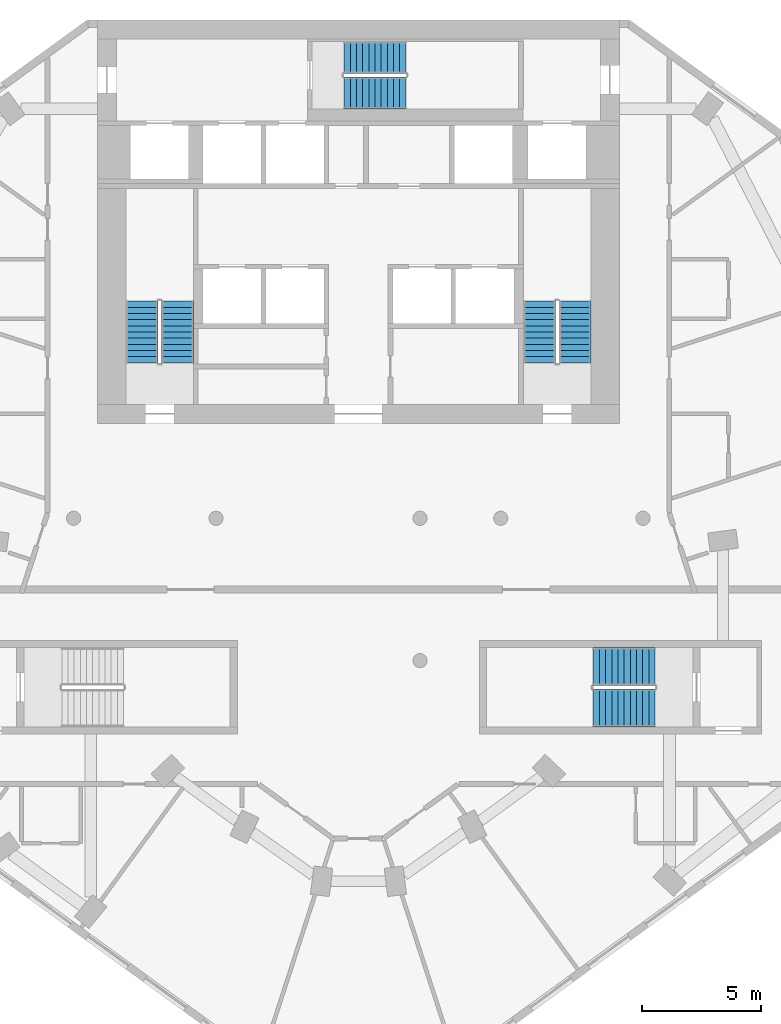
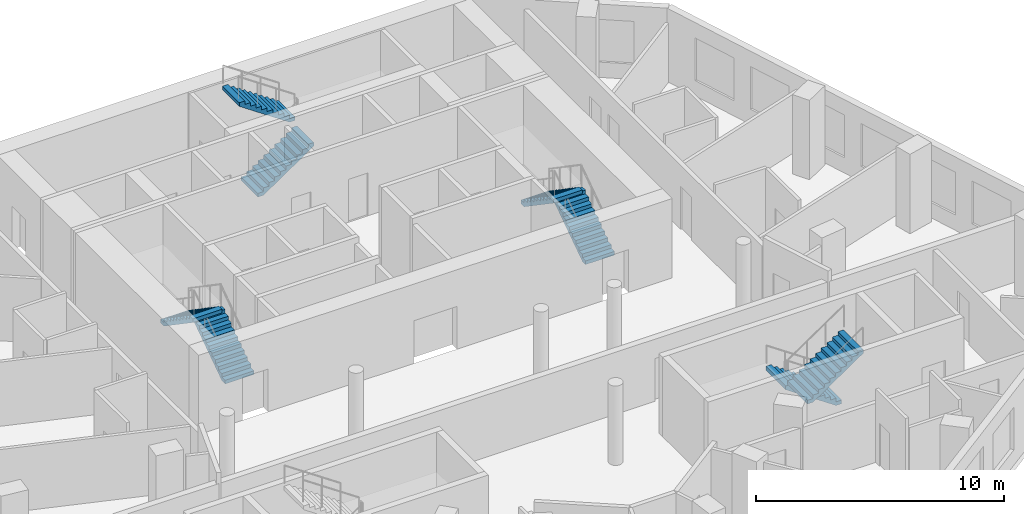
# One storey, part 7 of 9: 8 stair flights, 4 elements without a shape of their own.
"""IFC4 building model written with IfcOpenShell, lengths in metres."""

import ifcopenshell
import ifcopenshell.guid

model = None  # the IFC model being written
_history = None  # IfcOwnerHistory: only IFC2X3 demands one
_inside = {}  # id of a spatial element -> (the spatial element, [elements in it])
_under = {}  # id of a project, library or spatial element -> (it, [spatial elements below it])
_declared = {}  # id of a project -> (the project, [libraries it declares])
_typed = {}  # id of a type object -> (the type object, [elements of that type])
_made_of = {}  # id of a material, layer set ... -> (it, [elements and type objects made of it])


def new_model(schema):
    """Start an empty IFC model of exactly this schema.

    Asked for "IFC4X3", IfcOpenShell would pick the latest addendum, in which some entities
    have other attributes; the version numbers below select the first issue.
    IFC2X3 requires an IfcOwnerHistory on every rooted entity: one is made here for all.
    """
    global model, _history
    if schema == "IFC4X3":
        model = ifcopenshell.file(schema_version=(4, 3, 0, 0))
    else:
        model = ifcopenshell.file(schema=schema)
    _inside.clear()
    _under.clear()
    _declared.clear()
    _typed.clear()
    _made_of.clear()
    _history = None
    if model.schema == "IFC2X3":
        org = make("IfcOrganization", Name="unknown")
        user = make(
            "IfcPersonAndOrganization",
            ThePerson=make("IfcPerson", FamilyName="unknown"),
            TheOrganization=org,
        )
        app = make(
            "IfcApplication",
            ApplicationDeveloper=org,
            Version="unknown",
            ApplicationFullName="unknown",
            ApplicationIdentifier="unknown",
        )
        _history = make(
            "IfcOwnerHistory",
            OwningUser=user,
            OwningApplication=app,
            ChangeAction="ADDED",
            CreationDate=0,
        )
    return model


def make(cls, **values):
    """One entity of the class cls with the attributes given. An attribute that is None is left unset."""
    return model.create_entity(
        cls, **{name: value for name, value in values.items() if value is not None}
    )


def rooted(cls, **values):
    """An entity with a GlobalId (a new one), such as an element, a storey or a relation."""
    return make(cls, GlobalId=ifcopenshell.guid.new(), OwnerHistory=_history, **values)


def si_unit(unit_type, name, prefix=None):
    """IfcSIUnit, for example si_unit("LENGTHUNIT", "METRE", prefix="MILLI")."""
    return make("IfcSIUnit", UnitType=unit_type, Prefix=prefix, Name=name)


def assignment(units):
    """IfcUnitAssignment: the units of a project."""
    return None if units is None else make("IfcUnitAssignment", Units=units)


def point(xyz):
    """IfcCartesianPoint."""
    return None if xyz is None else make("IfcCartesianPoint", Coordinates=xyz)


def direction(xyz):
    """IfcDirection."""
    return None if xyz is None else make("IfcDirection", DirectionRatios=xyz)


def frame(location, z_axis=None, x_axis=None):
    """IfcAxis2Placement3D, a coordinate frame: its origin and axes. An axis left out is left unset."""
    return make(
        "IfcAxis2Placement3D",
        Location=point(location),
        Axis=direction(z_axis),
        RefDirection=direction(x_axis),
    )


def origin():
    """The frame at (0, 0, 0) with its axes left unset."""
    return frame((0.0, 0.0, 0.0))


def place(relative_to, where):
    """IfcLocalPlacement: puts the frame where relative to a parent placement (None: the world)."""
    return make(
        "IfcLocalPlacement", PlacementRelTo=relative_to, RelativePlacement=where
    )


def context(
    kind, dimensions, precision=None, world=None, true_north=None, identifier=None
):
    """IfcGeometricRepresentationContext, for example the 3D "Model" context."""
    return make(
        "IfcGeometricRepresentationContext",
        ContextIdentifier=identifier,
        ContextType=kind,
        CoordinateSpaceDimension=dimensions,
        Precision=precision,
        WorldCoordinateSystem=world,
        TrueNorth=true_north,
    )


def subcontext(parent, identifier, kind, view, scale=None):
    """IfcGeometricRepresentationSubContext, for example "Body" below "Model"."""
    return make(
        "IfcGeometricRepresentationSubContext",
        ContextIdentifier=identifier,
        ContextType=kind,
        ParentContext=parent,
        TargetScale=scale,
        TargetView=view,
    )


def project(units=None, contexts=None):
    """IfcProject with its units and contexts."""
    return rooted(
        "IfcProject",
        Name="project",
        RepresentationContexts=contexts,
        UnitsInContext=assignment(units),
    )


def spatial(cls, under=None, at=None, **own):
    """A site, building, storey or space (cls), placed at a placement, below another one or the project."""
    s = rooted(cls, ObjectPlacement=at, **own)
    if under is not None:
        _under.setdefault(under.id(), (under, []))[1].append(s)
    return s


def polyline(points):
    """IfcPolyline through the points."""
    return make("IfcPolyline", Points=[point(p) for p in points])


def outline(outer, holes=None, kind="AREA"):
    """IfcArbitraryClosedProfileDef: a profile drawn as a closed curve; with holes, ...WithVoids."""
    if holes is None:
        return make("IfcArbitraryClosedProfileDef", ProfileType=kind, OuterCurve=outer)
    return make(
        "IfcArbitraryProfileDefWithVoids",
        ProfileType=kind,
        OuterCurve=outer,
        InnerCurves=holes,
    )


def extrude(swept, where, along, depth):
    """IfcExtrudedAreaSolid: the profile swept, set in the frame where, extruded along a direction by depth."""
    return make(
        "IfcExtrudedAreaSolid",
        SweptArea=swept,
        Position=where,
        ExtrudedDirection=direction(along),
        Depth=depth,
    )


def shape(context_of_items, identifier, shape_type, items):
    """IfcShapeRepresentation: the items that make up one representation, for example the "Body"."""
    return make(
        "IfcShapeRepresentation",
        ContextOfItems=context_of_items,
        RepresentationIdentifier=identifier,
        RepresentationType=shape_type,
        Items=items,
    )


def material(Name=None, Category=None):
    """IfcMaterial."""
    return make("IfcMaterial", Name=Name, Category=Category)


def layer(
    of_material, thickness, ventilated=None, Name=None, Category=None, Priority=None
):
    """IfcMaterialLayer: one layer of a wall or slab, of a material (None: an air gap)."""
    return make(
        "IfcMaterialLayer",
        Material=of_material,
        LayerThickness=thickness,
        IsVentilated=ventilated,
        Name=Name,
        Category=Category,
        Priority=Priority,
    )


def layer_set(layers, Name=None):
    """IfcMaterialLayerSet."""
    return make("IfcMaterialLayerSet", MaterialLayers=layers, LayerSetName=Name)


def made_of(thing, what):
    """Note that an element or type object is made of a material, layer set ...; save() writes the relation."""
    if what is not None:
        _made_of.setdefault(what.id(), (what, []))[1].append(thing)
    return thing


def type_object(cls, material=None, **own):
    """A type object (cls), such as IfcWallType, which elements share."""
    return made_of(rooted(cls, **own), material)


def element(
    cls,
    number,
    at=None,
    inside=None,
    cuts=None,
    type_object=None,
    material=None,
    context=None,
    identifier="Body",
    shape_type=None,
    held_by="IfcProductDefinitionShape",
    body=None,
    shapes=None,
    **own,
):
    """One element of the class cls, such as IfcWall. Its Tag is "e" and its number.

    at: its placement. inside: the storey or other place that contains it. cuts: it is an
    opening in that element (IfcRelVoidsElement). A single representation is given by context,
    identifier, shape_type and body (its items); several are given by shapes. held_by: the class
    of the entity that holds the representations. save() writes the other relations.
    """
    e = rooted(cls, Tag="e%d" % number, ObjectPlacement=at, **own)
    if body is not None:
        shapes = [shape(context, identifier, shape_type, body)]
    if shapes is not None:
        e.Representation = make(held_by, Representations=shapes)
    if inside is not None:
        _inside.setdefault(inside.id(), (inside, []))[1].append(e)
    if cuts is not None:
        rooted(
            "IfcRelVoidsElement", RelatingBuildingElement=cuts, RelatedOpeningElement=e
        )
    if type_object is not None:
        _typed.setdefault(type_object.id(), (type_object, []))[1].append(e)
    return made_of(e, material)


def aggregate(whole, parts):
    """IfcRelAggregates: a whole, such as a stair, and the parts it consists of."""
    return rooted("IfcRelAggregates", RelatingObject=whole, RelatedObjects=parts)


def save(model, path):
    """Write the relations noted so far, then the file.

    IfcRelAggregates (storeys below a building ...), IfcRelContainedInSpatialStructure (elements
    in a storey), IfcRelDefinesByType, IfcRelAssociatesMaterial and IfcRelDeclares: one each for
    every whole, place, type object, material and project.
    """
    for whole, parts in _under.values():
        aggregate(whole, parts)
    for where, things in _inside.values():
        rooted(
            "IfcRelContainedInSpatialStructure",
            RelatedElements=things,
            RelatingStructure=where,
        )
    for kind, things in _typed.values():
        rooted("IfcRelDefinesByType", RelatedObjects=things, RelatingType=kind)
    for what, things in _made_of.values():
        rooted("IfcRelAssociatesMaterial", RelatedObjects=things, RelatingMaterial=what)
    for by, libraries in _declared.values():
        rooted("IfcRelDeclares", RelatingContext=by, RelatedDefinitions=libraries)
    model.write(path)


model = new_model("IFC4")

# Units and contexts
model_context = context("Model", 3, precision=1e-05, world=origin(), true_north=direction((0.0, 1.0)))
body_context = subcontext(model_context, "Body", "Model", "MODEL_VIEW")
ifc_project = project(units=[si_unit("LENGTHUNIT", "METRE"), si_unit("AREAUNIT", "SQUARE_METRE"), si_unit("VOLUMEUNIT", "CUBIC_METRE"), si_unit("PLANEANGLEUNIT", "RADIAN"), si_unit("MASSUNIT", "GRAM", prefix="KILO")], contexts=[model_context])

# Site, building, storey
site_placement = place(None, origin())
site = spatial("IfcSite", under=ifc_project, at=site_placement, CompositionType="ELEMENT")
building_placement = place(site_placement, origin())
building = spatial("IfcBuilding", under=site, at=building_placement, Name="White Candle Pilgrim Tower", CompositionType="ELEMENT")
storey_placement = place(building_placement, frame((0.0, 0.0, 239.39990234375)))
storey = spatial("IfcBuildingStorey", under=building, at=storey_placement, Name="L56", CompositionType="ELEMENT", Elevation=239.39990234375)

# Stair, stair flights
ifc_material = material(Name="Concrete C40/50", Category="concrete")
stair_type_1 = type_object("IfcStairType", Name="Exit stair 1 flight width 1350 mm", PredefinedType="HALF_TURN_STAIR", material=ifc_material)
stair_1_placement = place(storey_placement, origin())
stair_1 = element("IfcStair", 1, at=stair_1_placement, inside=storey, type_object=stair_type_1, Name="L56 stair 1", PredefinedType="NOTDEFINED")
ifc_layer = layer(ifc_material, 0.14990234375)
ifc_layer_set = layer_set([ifc_layer], Name="Stair flight Concrete C40/50")
stair_flight_type = type_object("IfcStairFlightType", Name="Stair flight Concrete C40/50", PredefinedType="STRAIGHT", material=ifc_layer_set)
stair_flight_1_placement = place(storey_placement, frame((62.375, 73.550048828125, 0.0), z_axis=(0.0, 0.0, 1.0), x_axis=(0.0, 1.0, 0.0)))
stair_flight_1 = element("IfcStairFlight", 2, at=stair_flight_1_placement, type_object=stair_flight_type, Name="ST1 flight 1", NumberOfRisers=11, NumberOfTreads=10, PredefinedType="NOTDEFINED", RiserHeight=0.177272727, TreadLength=0.26, context=body_context, shape_type="SweptSolid", body=[
    extrude(outline(polyline([(0.0, 0.0), (0.0, 0.17724609375), (0.260009765625, 0.17724609375), (0.260009765625, 0.3544921875), (0.52001953125, 0.3544921875), (0.52001953125, 0.53173828125), (0.780029296875, 0.53173828125), (0.780029296875, 0.708984375), (1.0400390625, 0.708984375), (1.0400390625, 0.886474609375), (1.300048828125, 0.886474609375), (1.300048828125, 1.063720703125), (1.56005859375, 1.063720703125), (1.56005859375, 1.240966796875), (1.820068359375, 1.240966796875), (1.820068359375, 1.418212890625), (2.080078125, 1.418212890625), (2.080078125, 1.595458984375), (2.340087890625, 1.595458984375), (2.340087890625, 1.772705078125), (2.60009765625, 1.772705078125), (2.60009765625, 1.949951171875), (2.60009765625, 1.59130859375), (0.26611328125, 0.0), (0.0, 0.0)])), frame((0.0, 0.675048828125, 0.0), z_axis=(0.0, -1.0, 0.0), x_axis=(1.0, 0.0, 0.0)), (0.0, 0.0, 1.0), 1.35009765625),
])
stair_flight_2_placement = place(storey_placement, frame((60.875, 76.14990234375, 1.9501953125), z_axis=(0.0, 0.0, 1.0), x_axis=(0.0, -1.0, 0.0)))
stair_flight_2 = element("IfcStairFlight", 3, at=stair_flight_2_placement, type_object=stair_flight_type, Name="ST1 flight 2", NumberOfRisers=11, NumberOfTreads=10, PredefinedType="NOTDEFINED", RiserHeight=0.177272727, TreadLength=0.26, context=body_context, shape_type="SweptSolid", body=[
    extrude(outline(polyline([(0.0, 0.0), (0.0, 0.17724609375), (0.260009765625, 0.17724609375), (0.260009765625, 0.3544921875), (0.52001953125, 0.3544921875), (0.52001953125, 0.53173828125), (0.780029296875, 0.53173828125), (0.780029296875, 0.708984375), (1.0400390625, 0.708984375), (1.0400390625, 0.886474609375), (1.300048828125, 0.886474609375), (1.300048828125, 1.063720703125), (1.56005859375, 1.063720703125), (1.56005859375, 1.240966796875), (1.820068359375, 1.240966796875), (1.820068359375, 1.418212890625), (2.080078125, 1.418212890625), (2.080078125, 1.595458984375), (2.340087890625, 1.595458984375), (2.340087890625, 1.772705078125), (2.60009765625, 1.772705078125), (2.60009765625, 1.949951171875), (2.60009765625, 1.59130859375), (0.26611328125, 0.0), (0.0, 0.0)])), frame((0.0, 0.675048828125, 0.0), z_axis=(0.0, -1.0, 0.0), x_axis=(1.0, 0.0, 0.0)), (0.0, 0.0, 1.0), 1.35009765625),
])
aggregate(stair_1, [stair_flight_1, stair_flight_2])

stair_type_2 = type_object("IfcStairType", Name="Exit stair 2 flight width 1350 mm", PredefinedType="HALF_TURN_STAIR", material=ifc_material)
stair_2_placement = place(storey_placement, origin())
stair_2 = element("IfcStair", 4, at=stair_2_placement, inside=storey, type_object=stair_type_2, Name="L56 stair 2", PredefinedType="NOTDEFINED")
stair_flight_3_placement = place(storey_placement, frame((79.125, 73.550048828125, 0.0), z_axis=(0.0, 0.0, 1.0), x_axis=(0.0, 1.0, 0.0)))
stair_flight_3 = element("IfcStairFlight", 5, at=stair_flight_3_placement, type_object=stair_flight_type, Name="ST2 flight 1", NumberOfRisers=11, NumberOfTreads=10, PredefinedType="NOTDEFINED", RiserHeight=0.177272727, TreadLength=0.26, context=body_context, shape_type="SweptSolid", body=[
    extrude(outline(polyline([(0.0, 0.0), (0.0, 0.17724609375), (0.260009765625, 0.17724609375), (0.260009765625, 0.3544921875), (0.52001953125, 0.3544921875), (0.52001953125, 0.53173828125), (0.780029296875, 0.53173828125), (0.780029296875, 0.708984375), (1.0400390625, 0.708984375), (1.0400390625, 0.886474609375), (1.300048828125, 0.886474609375), (1.300048828125, 1.063720703125), (1.56005859375, 1.063720703125), (1.56005859375, 1.240966796875), (1.820068359375, 1.240966796875), (1.820068359375, 1.418212890625), (2.080078125, 1.418212890625), (2.080078125, 1.595458984375), (2.340087890625, 1.595458984375), (2.340087890625, 1.772705078125), (2.60009765625, 1.772705078125), (2.60009765625, 1.949951171875), (2.60009765625, 1.59130859375), (0.26611328125, 0.0), (0.0, 0.0)])), frame((0.0, 0.675048828125, 0.0), z_axis=(0.0, -1.0, 0.0), x_axis=(1.0, 0.0, 0.0)), (0.0, 0.0, 1.0), 1.35009765625),
])
stair_flight_4_placement = place(storey_placement, frame((77.625, 76.14990234375, 1.9501953125), z_axis=(0.0, 0.0, 1.0), x_axis=(0.0, -1.0, 0.0)))
stair_flight_4 = element("IfcStairFlight", 6, at=stair_flight_4_placement, type_object=stair_flight_type, Name="ST2 flight 2", NumberOfRisers=11, NumberOfTreads=10, PredefinedType="NOTDEFINED", RiserHeight=0.177272727, TreadLength=0.26, context=body_context, shape_type="SweptSolid", body=[
    extrude(outline(polyline([(0.0, 0.0), (0.0, 0.17724609375), (0.260009765625, 0.17724609375), (0.260009765625, 0.3544921875), (0.52001953125, 0.3544921875), (0.52001953125, 0.53173828125), (0.780029296875, 0.53173828125), (0.780029296875, 0.708984375), (1.0400390625, 0.708984375), (1.0400390625, 0.886474609375), (1.300048828125, 0.886474609375), (1.300048828125, 1.063720703125), (1.56005859375, 1.063720703125), (1.56005859375, 1.240966796875), (1.820068359375, 1.240966796875), (1.820068359375, 1.418212890625), (2.080078125, 1.418212890625), (2.080078125, 1.595458984375), (2.340087890625, 1.595458984375), (2.340087890625, 1.772705078125), (2.60009765625, 1.772705078125), (2.60009765625, 1.949951171875), (2.60009765625, 1.59130859375), (0.26611328125, 0.0), (0.0, 0.0)])), frame((0.0, 0.675048828125, 0.0), z_axis=(0.0, -1.0, 0.0), x_axis=(1.0, 0.0, 0.0)), (0.0, 0.0, 1.0), 1.35009765625),
])
aggregate(stair_2, [stair_flight_3, stair_flight_4])

stair_type_3 = type_object("IfcStairType", Name="Exit stair 3 flight width 1350 mm", PredefinedType="HALF_TURN_STAIR", material=ifc_material)
stair_3_placement = place(storey_placement, origin())
stair_3 = element("IfcStair", 7, at=stair_3_placement, inside=storey, type_object=stair_type_3, Name="L56 stair 3", PredefinedType="NOTDEFINED")
stair_flight_5_placement = place(storey_placement, frame((69.39990234375, 84.925048828125, 0.0), z_axis=(0.0, 0.0, 1.0), x_axis=(1.0, 0.0, 0.0)))
stair_flight_5 = element("IfcStairFlight", 8, at=stair_flight_5_placement, type_object=stair_flight_type, Name="ST3 flight 1", NumberOfRisers=11, NumberOfTreads=10, PredefinedType="NOTDEFINED", RiserHeight=0.177272727, TreadLength=0.26, context=body_context, shape_type="SweptSolid", body=[
    extrude(outline(polyline([(0.0, 0.0), (0.0, 0.17724609375), (0.260009765625, 0.17724609375), (0.260009765625, 0.3544921875), (0.52001953125, 0.3544921875), (0.52001953125, 0.53173828125), (0.780029296875, 0.53173828125), (0.780029296875, 0.708984375), (1.0400390625, 0.708984375), (1.0400390625, 0.886474609375), (1.300048828125, 0.886474609375), (1.300048828125, 1.063720703125), (1.56005859375, 1.063720703125), (1.56005859375, 1.240966796875), (1.820068359375, 1.240966796875), (1.820068359375, 1.418212890625), (2.080078125, 1.418212890625), (2.080078125, 1.595458984375), (2.340087890625, 1.595458984375), (2.340087890625, 1.772705078125), (2.60009765625, 1.772705078125), (2.60009765625, 1.949951171875), (2.60009765625, 1.59130859375), (0.26611328125, 0.0), (0.0, 0.0)])), frame((0.0, 0.675048828125, 0.0), z_axis=(0.0, -1.0, 0.0), x_axis=(1.0, 0.0, 0.0)), (0.0, 0.0, 1.0), 1.35009765625),
])
stair_flight_6_placement = place(storey_placement, frame((72.0, 86.425048828125, 1.9501953125), z_axis=(0.0, 0.0, 1.0), x_axis=(-1.0, 0.0, 0.0)))
stair_flight_6 = element("IfcStairFlight", 9, at=stair_flight_6_placement, type_object=stair_flight_type, Name="ST3 flight 2", NumberOfRisers=11, NumberOfTreads=10, PredefinedType="NOTDEFINED", RiserHeight=0.177272727, TreadLength=0.26, context=body_context, shape_type="SweptSolid", body=[
    extrude(outline(polyline([(0.0, 0.0), (0.0, 0.17724609375), (0.260009765625, 0.17724609375), (0.260009765625, 0.3544921875), (0.52001953125, 0.3544921875), (0.52001953125, 0.53173828125), (0.780029296875, 0.53173828125), (0.780029296875, 0.708984375), (1.0400390625, 0.708984375), (1.0400390625, 0.886474609375), (1.300048828125, 0.886474609375), (1.300048828125, 1.063720703125), (1.56005859375, 1.063720703125), (1.56005859375, 1.240966796875), (1.820068359375, 1.240966796875), (1.820068359375, 1.418212890625), (2.080078125, 1.418212890625), (2.080078125, 1.595458984375), (2.340087890625, 1.595458984375), (2.340087890625, 1.772705078125), (2.60009765625, 1.772705078125), (2.60009765625, 1.949951171875), (2.60009765625, 1.59130859375), (0.26611328125, 0.0), (0.0, 0.0)])), frame((0.0, 0.675048828125, 0.0), z_axis=(0.0, -1.0, 0.0), x_axis=(1.0, 0.0, 0.0)), (0.0, 0.0, 1.0), 1.35009765625),
])
aggregate(stair_3, [stair_flight_5, stair_flight_6])

stair_type_4 = type_object("IfcStairType", Name="Exit stair 4 flight width 1600 mm", PredefinedType="HALF_TURN_STAIR", material=ifc_material)
stair_4_placement = place(storey_placement, origin())
stair_4 = element("IfcStair", 10, at=stair_4_placement, inside=storey, type_object=stair_type_4, Name="L56 stair 4", PredefinedType="NOTDEFINED")
stair_flight_7_placement = place(storey_placement, frame((82.5, 60.75, 0.0), z_axis=(0.0, 0.0, 1.0), x_axis=(-1.0, 0.0, 0.0)))
stair_flight_7 = element("IfcStairFlight", 11, at=stair_flight_7_placement, type_object=stair_flight_type, Name="ST4 flight 1", NumberOfRisers=11, NumberOfTreads=10, PredefinedType="NOTDEFINED", RiserHeight=0.177272727, TreadLength=0.26, context=body_context, shape_type="SweptSolid", body=[
    extrude(outline(polyline([(0.0, 0.0), (0.0, 0.17724609375), (0.260009765625, 0.17724609375), (0.260009765625, 0.3544921875), (0.52001953125, 0.3544921875), (0.52001953125, 0.53173828125), (0.780029296875, 0.53173828125), (0.780029296875, 0.708984375), (1.0400390625, 0.708984375), (1.0400390625, 0.886474609375), (1.300048828125, 0.886474609375), (1.300048828125, 1.063720703125), (1.56005859375, 1.063720703125), (1.56005859375, 1.240966796875), (1.820068359375, 1.240966796875), (1.820068359375, 1.418212890625), (2.080078125, 1.418212890625), (2.080078125, 1.595458984375), (2.340087890625, 1.595458984375), (2.340087890625, 1.772705078125), (2.60009765625, 1.772705078125), (2.60009765625, 1.949951171875), (2.60009765625, 1.59130859375), (0.26611328125, 0.0), (0.0, 0.0)])), frame((0.0, 0.800048828125, 0.0), z_axis=(0.0, -1.0, 0.0), x_axis=(1.0, 0.0, 0.0)), (0.0, 0.0, 1.0), 1.60009765625),
])
stair_flight_8_placement = place(storey_placement, frame((79.89990234375, 59.0, 1.9501953125), z_axis=(0.0, 0.0, 1.0), x_axis=(1.0, 0.0, 0.0)))
stair_flight_8 = element("IfcStairFlight", 12, at=stair_flight_8_placement, type_object=stair_flight_type, Name="ST4 flight 2", NumberOfRisers=11, NumberOfTreads=10, PredefinedType="NOTDEFINED", RiserHeight=0.177272727, TreadLength=0.26, context=body_context, shape_type="SweptSolid", body=[
    extrude(outline(polyline([(0.0, 0.0), (0.0, 0.17724609375), (0.260009765625, 0.17724609375), (0.260009765625, 0.3544921875), (0.52001953125, 0.3544921875), (0.52001953125, 0.53173828125), (0.780029296875, 0.53173828125), (0.780029296875, 0.708984375), (1.0400390625, 0.708984375), (1.0400390625, 0.886474609375), (1.300048828125, 0.886474609375), (1.300048828125, 1.063720703125), (1.56005859375, 1.063720703125), (1.56005859375, 1.240966796875), (1.820068359375, 1.240966796875), (1.820068359375, 1.418212890625), (2.080078125, 1.418212890625), (2.080078125, 1.595458984375), (2.340087890625, 1.595458984375), (2.340087890625, 1.772705078125), (2.60009765625, 1.772705078125), (2.60009765625, 1.949951171875), (2.60009765625, 1.59130859375), (0.26611328125, 0.0), (0.0, 0.0)])), frame((0.0, 0.800048828125, 0.0), z_axis=(0.0, -1.0, 0.0), x_axis=(1.0, 0.0, 0.0)), (0.0, 0.0, 1.0), 1.60009765625),
])
aggregate(stair_4, [stair_flight_7, stair_flight_8])

save(model, "model.ifc")
